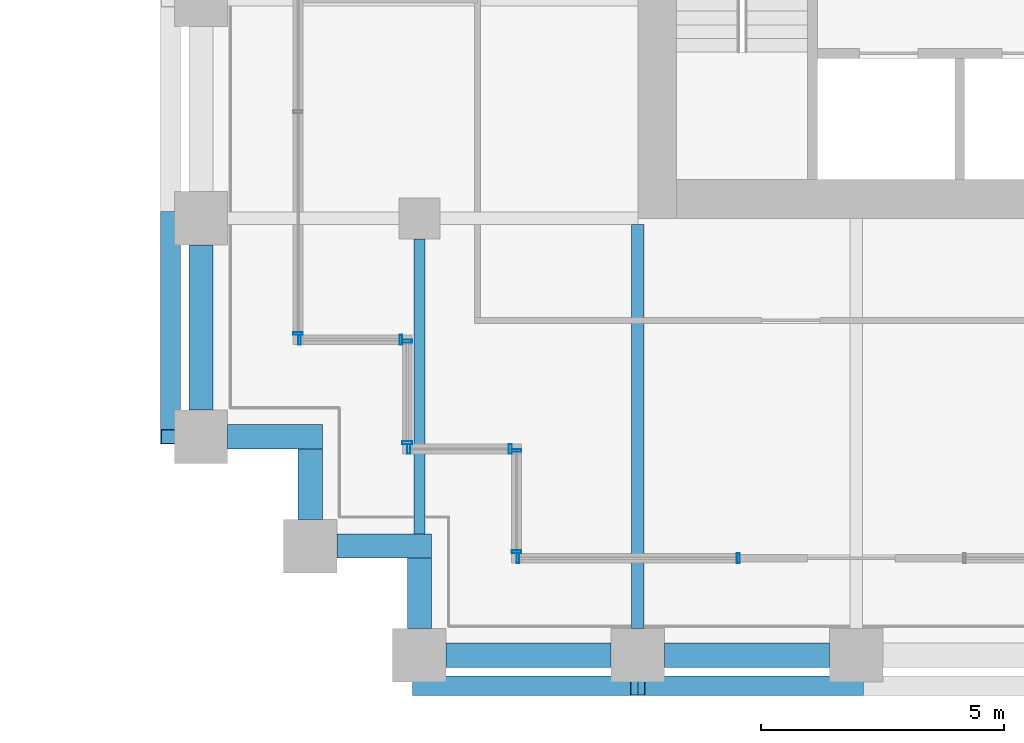
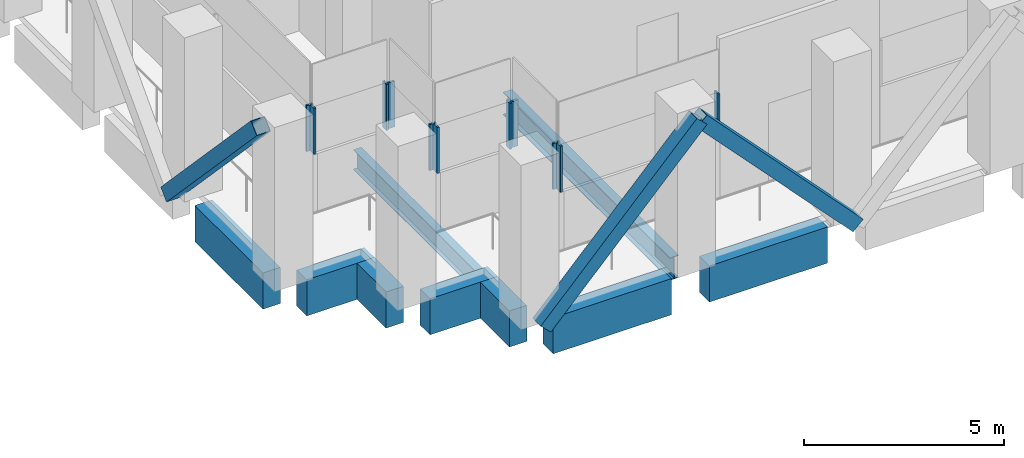
# One storey, part 24 of 44: 14 members, 9 beams, 6 elements without a shape of their own.
"""IFC4 building model written with IfcOpenShell, lengths in metres."""

from ifc_helpers import new_model, si_unit, direction, frame, origin, origin_2d, place, context, subcontext, project, spatial, rectangle, hollow_rectangle, i_section, extrude, material, material_profile, profile_set, type_object, element, aggregate, save


model = new_model("IFC4")

# Units and contexts
model_context = context("Model", 3, precision=1e-05, world=origin(), true_north=direction((0.0, 1.0)))
body_context = subcontext(model_context, "Body", "Model", "MODEL_VIEW")
ifc_project = project(units=[si_unit("LENGTHUNIT", "METRE"), si_unit("AREAUNIT", "SQUARE_METRE"), si_unit("VOLUMEUNIT", "CUBIC_METRE"), si_unit("PLANEANGLEUNIT", "RADIAN"), si_unit("MASSUNIT", "GRAM", prefix="KILO")], contexts=[model_context])

# Site, building, storey
site_placement = place(None, origin())
site = spatial("IfcSite", under=ifc_project, at=site_placement, CompositionType="ELEMENT")
building_placement = place(site_placement, origin())
building = spatial("IfcBuilding", under=site, at=building_placement, Name="Altepetl Exchange Towers", CompositionType="ELEMENT")
storey_placement = place(building_placement, frame((0.0, 0.0, 87.0)))
storey = spatial("IfcBuildingStorey", under=building, at=storey_placement, Name="L21 Refuge", CompositionType="ELEMENT", Elevation=87.0)

# Members
ifc_material_1 = material(Name="Steel S355", Category="steel")
ifc_material_profile_1 = material_profile(ifc_material_1, hollow_rectangle(XDim=0.406005859375, YDim=0.406005859375, WallThickness=0.014892578125, at=origin_2d()), Name="HSS406X406X15.9")
ifc_profile_set_1 = profile_set([ifc_material_profile_1], Name="Steel S355")
member_type_1 = type_object("IfcMemberType", Name="Belt diagonal HSS406X406X15.9", PredefinedType="BRACE", material=ifc_profile_set_1)
for number, where, z_axis, x_axis, name in (
    (1, (99.0, 26.3701171875, 0.0), (0.687744647911, 0.0, 0.725952683906), (0.0, 1.0, 0.0), "brc:B:L21:000"),
    (2, (103.5, 26.3701171875, 4.75), (0.687744647911, 0.0, -0.725952683906), (0.0, 1.0, 0.0), "brc:B:L21:001"),
    (3, (93.8701171875, 36.0, 0.0), (0.0, -0.687744647911, 0.725952683906), (1.0, 0.0, 0.0), "brc:B:L21:016"),
):
    element("IfcMember", number, at=place(storey_placement, frame(where, z_axis=z_axis, x_axis=x_axis)), inside=storey, type_object=member_type_1, Name=name, PredefinedType="BRACE", context=body_context, shape_type="SweptSolid", body=[
        extrude(hollow_rectangle(XDim=0.406005859375, YDim=0.406005859375, WallThickness=0.014892578125, at=origin_2d()), origin(), (0.0, 0.0, 1.0), 6.543212890625),
    ])

# Beams
ifc_material_profile_2 = material_profile(ifc_material_1, i_section(OverallWidth=0.22802734375, OverallDepth=0.60791015625, WebThickness=0.01123046875, FlangeThickness=0.017333984375, at=origin_2d()), Name="W24X76")
ifc_profile_set_2 = profile_set([ifc_material_profile_2], Name="Steel S355")
beam_type_1 = type_object("IfcBeamType", Name="Floor beam W24X76", PredefinedType="BEAM", material=ifc_profile_set_2)
beam_1_placement = place(storey_placement, frame((99.0, 29.5, -0.50390625), z_axis=(0.0, 1.0, 0.0), x_axis=(-1.0, 0.0, 0.0)))
element("IfcBeam", 4, at=beam_1_placement, inside=storey, type_object=beam_type_1, Name="bm:B:L21:008", PredefinedType="BEAM", context=body_context, shape_type="SweptSolid", body=[
    extrude(i_section(OverallWidth=0.22802734375, OverallDepth=0.60791015625, WebThickness=0.01123046875, FlangeThickness=0.017333984375, at=origin_2d()), origin(), (0.0, 0.0, 1.0), 6.074951171875),
])
ifc_material_profile_3 = material_profile(ifc_material_1, i_section(OverallWidth=0.25390625, OverallDepth=0.68798828125, WebThickness=0.01318359375, FlangeThickness=0.02099609375, at=origin_2d()), Name="W27X102")
ifc_profile_set_3 = profile_set([ifc_material_profile_3], Name="Steel S355")
beam_type_2 = type_object("IfcBeamType", Name="Floor beam W27X102", PredefinedType="BEAM", material=ifc_profile_set_3)
beam_2_placement = place(storey_placement, frame((103.5, 27.550048828125, -0.5439453125), z_axis=(0.0, 1.0, 0.0), x_axis=(-1.0, 0.0, 0.0)))
element("IfcBeam", 5, at=beam_2_placement, inside=storey, type_object=beam_type_2, Name="bm:B:L21:009", PredefinedType="BEAM", context=body_context, shape_type="SweptSolid", body=[
    extrude(i_section(OverallWidth=0.25390625, OverallDepth=0.68798828125, WebThickness=0.01318359375, FlangeThickness=0.02099609375, at=origin_2d()), origin(), (0.0, 0.0, 1.0), 8.322021484375),
])

# Curtain wall, member
ifc_material_2 = material(Name="Aluminium 6063-T6 glazing", Category="aluminium")
curtain_wall_type = type_object("IfcCurtainWallType", Name="Refuge slit glazing system", PredefinedType="NOTDEFINED", material=ifc_material_2)
curtain_wall_1_placement = place(storey_placement, origin())
curtain_wall_1 = element("IfcCurtainWall", 6, at=curtain_wall_1_placement, inside=storey, type_object=curtain_wall_type, Name="CW3 run", PredefinedType="NOTDEFINED")
ifc_material_3 = material(Name="Aluminium 6063-T6", Category="aluminium")
ifc_material_profile_4 = material_profile(ifc_material_3, hollow_rectangle(XDim=0.06005859375, YDim=0.199951171875, WallThickness=0.0029296875, at=origin_2d()), Name="Mullion 60x200 aluminium")
ifc_profile_set_4 = profile_set([ifc_material_profile_4], Name="Aluminium 6063-T6")
member_type_2 = type_object("IfcMemberType", Name="Mullion 60x200 aluminium", PredefinedType="MULLION", material=ifc_profile_set_4)
member_1_placement = place(storey_placement, frame((96.5, 33.6298828125, 1.800048828125), z_axis=(0.0, 0.0, 1.0), x_axis=(0.0, -1.0, 0.0)))
member_1 = element("IfcMember", 7, at=member_1_placement, type_object=member_type_2, Name="MU2 mullion", PredefinedType="MULLION", context=body_context, shape_type="SweptSolid", body=[
    extrude(hollow_rectangle(XDim=0.06005859375, YDim=0.199951171875, WallThickness=0.0029296875, at=origin_2d()), origin(), (0.0, 0.0, 1.0), 1.39990234375),
])
aggregate(curtain_wall_1, [member_1])

# Curtain wall, members
curtain_wall_2_placement = place(storey_placement, origin())
curtain_wall_2 = element("IfcCurtainWall", 8, at=curtain_wall_2_placement, inside=storey, type_object=curtain_wall_type, Name="CW3 run", PredefinedType="NOTDEFINED")
member_2_placement = place(storey_placement, frame((96.530029296875, 33.5, 1.800048828125)))
member_2 = element("IfcMember", 9, at=member_2_placement, type_object=member_type_2, Name="MU2 mullion", PredefinedType="MULLION", context=body_context, shape_type="SweptSolid", body=[
    extrude(hollow_rectangle(XDim=0.06005859375, YDim=0.199951171875, WallThickness=0.0029296875, at=origin_2d()), origin(), (0.0, 0.0, 1.0), 1.39990234375),
])
member_3_placement = place(storey_placement, frame((98.6201171875, 33.5, 1.800048828125)))
member_3 = element("IfcMember", 10, at=member_3_placement, type_object=member_type_2, Name="MU2 mullion", PredefinedType="MULLION", context=body_context, shape_type="SweptSolid", body=[
    extrude(hollow_rectangle(XDim=0.06005859375, YDim=0.199951171875, WallThickness=0.0029296875, at=origin_2d()), origin(), (0.0, 0.0, 1.0), 1.39990234375),
])
aggregate(curtain_wall_2, [member_2, member_3])

curtain_wall_3_placement = place(storey_placement, origin())
curtain_wall_3 = element("IfcCurtainWall", 11, at=curtain_wall_3_placement, inside=storey, type_object=curtain_wall_type, Name="CW3 run", PredefinedType="NOTDEFINED")
member_4_placement = place(storey_placement, frame((98.75, 33.469970703125, 1.800048828125), z_axis=(0.0, 0.0, 1.0), x_axis=(0.0, -1.0, 0.0)))
member_4 = element("IfcMember", 12, at=member_4_placement, type_object=member_type_2, Name="MU2 mullion", PredefinedType="MULLION", context=body_context, shape_type="SweptSolid", body=[
    extrude(hollow_rectangle(XDim=0.06005859375, YDim=0.199951171875, WallThickness=0.0029296875, at=origin_2d()), origin(), (0.0, 0.0, 1.0), 1.39990234375),
])
member_5_placement = place(storey_placement, frame((98.75, 31.3798828125, 1.800048828125), z_axis=(0.0, 0.0, 1.0), x_axis=(0.0, -1.0, 0.0)))
member_5 = element("IfcMember", 13, at=member_5_placement, type_object=member_type_2, Name="MU2 mullion", PredefinedType="MULLION", context=body_context, shape_type="SweptSolid", body=[
    extrude(hollow_rectangle(XDim=0.06005859375, YDim=0.199951171875, WallThickness=0.0029296875, at=origin_2d()), origin(), (0.0, 0.0, 1.0), 1.39990234375),
])
aggregate(curtain_wall_3, [member_4, member_5])

curtain_wall_4_placement = place(storey_placement, origin())
curtain_wall_4 = element("IfcCurtainWall", 14, at=curtain_wall_4_placement, inside=storey, type_object=curtain_wall_type, Name="CW3 run", PredefinedType="NOTDEFINED")
member_6_placement = place(storey_placement, frame((98.780029296875, 31.25, 1.800048828125)))
member_6 = element("IfcMember", 15, at=member_6_placement, type_object=member_type_2, Name="MU2 mullion", PredefinedType="MULLION", context=body_context, shape_type="SweptSolid", body=[
    extrude(hollow_rectangle(XDim=0.06005859375, YDim=0.199951171875, WallThickness=0.0029296875, at=origin_2d()), origin(), (0.0, 0.0, 1.0), 1.39990234375),
])
member_7_placement = place(storey_placement, frame((100.8701171875, 31.25, 1.800048828125)))
member_7 = element("IfcMember", 16, at=member_7_placement, type_object=member_type_2, Name="MU2 mullion", PredefinedType="MULLION", context=body_context, shape_type="SweptSolid", body=[
    extrude(hollow_rectangle(XDim=0.06005859375, YDim=0.199951171875, WallThickness=0.0029296875, at=origin_2d()), origin(), (0.0, 0.0, 1.0), 1.39990234375),
])
aggregate(curtain_wall_4, [member_6, member_7])

curtain_wall_5_placement = place(storey_placement, origin())
curtain_wall_5 = element("IfcCurtainWall", 17, at=curtain_wall_5_placement, inside=storey, type_object=curtain_wall_type, Name="CW3 run", PredefinedType="NOTDEFINED")
member_8_placement = place(storey_placement, frame((101.0, 31.219970703125, 1.800048828125), z_axis=(0.0, 0.0, 1.0), x_axis=(0.0, -1.0, 0.0)))
member_8 = element("IfcMember", 18, at=member_8_placement, type_object=member_type_2, Name="MU2 mullion", PredefinedType="MULLION", context=body_context, shape_type="SweptSolid", body=[
    extrude(hollow_rectangle(XDim=0.06005859375, YDim=0.199951171875, WallThickness=0.0029296875, at=origin_2d()), origin(), (0.0, 0.0, 1.0), 1.39990234375),
])
member_9_placement = place(storey_placement, frame((101.0, 29.1298828125, 1.800048828125), z_axis=(0.0, 0.0, 1.0), x_axis=(0.0, -1.0, 0.0)))
member_9 = element("IfcMember", 19, at=member_9_placement, type_object=member_type_2, Name="MU2 mullion", PredefinedType="MULLION", context=body_context, shape_type="SweptSolid", body=[
    extrude(hollow_rectangle(XDim=0.06005859375, YDim=0.199951171875, WallThickness=0.0029296875, at=origin_2d()), origin(), (0.0, 0.0, 1.0), 1.39990234375),
])
aggregate(curtain_wall_5, [member_8, member_9])

curtain_wall_6_placement = place(storey_placement, origin())
curtain_wall_6 = element("IfcCurtainWall", 20, at=curtain_wall_6_placement, inside=storey, type_object=curtain_wall_type, Name="CW3 run", PredefinedType="NOTDEFINED")
member_10_placement = place(storey_placement, frame((101.030029296875, 29.0, 1.800048828125)))
member_10 = element("IfcMember", 21, at=member_10_placement, type_object=member_type_2, Name="MU2 mullion", PredefinedType="MULLION", context=body_context, shape_type="SweptSolid", body=[
    extrude(hollow_rectangle(XDim=0.06005859375, YDim=0.199951171875, WallThickness=0.0029296875, at=origin_2d()), origin(), (0.0, 0.0, 1.0), 1.39990234375),
])
member_11_placement = place(storey_placement, frame((105.570068359375, 29.0, 1.800048828125)))
member_11 = element("IfcMember", 22, at=member_11_placement, type_object=member_type_2, Name="MU2 mullion", PredefinedType="MULLION", context=body_context, shape_type="SweptSolid", body=[
    extrude(hollow_rectangle(XDim=0.06005859375, YDim=0.199951171875, WallThickness=0.0029296875, at=origin_2d()), origin(), (0.0, 0.0, 1.0), 1.39990234375),
])
aggregate(curtain_wall_6, [member_10, member_11])

# Beams
ifc_material_4 = material(Name="Concrete C50/60 precast with tezontle facing", Category="concrete")
ifc_material_profile_5 = material_profile(ifc_material_4, rectangle(XDim=0.5, YDim=1.10009765625, at=origin_2d()), Name="500 x 1100")
ifc_profile_set_5 = profile_set([ifc_material_profile_5], Name="Concrete C50/60 precast with tezontle facing")
beam_type_3 = type_object("IfcBeamType", Name="Spandrel beam 500x1100 tezontle", PredefinedType="SPANDREL", material=ifc_profile_set_5)
for number, where, z_axis, x_axis, name in (
    (23, (99.550048828125, 27.0, -0.75), (1.0, 0.0, 0.0), (0.0, 1.0, 0.0), "sp:B:L21:000"),
    (24, (104.050048828125, 27.0, -0.75), (1.0, 0.0, 0.0), (0.0, 1.0, 0.0), "sp:B:L21:001"),
    (25, (94.5, 35.449951171875, -0.75), (0.0, -1.0, 0.0), (1.0, 0.0, 0.0), "sp:B:L21:031"),
):
    element("IfcBeam", number, at=place(storey_placement, frame(where, z_axis=z_axis, x_axis=x_axis)), inside=storey, type_object=beam_type_3, Name=name, PredefinedType="SPANDREL", context=body_context, shape_type="SweptSolid", body=[
        extrude(rectangle(XDim=0.5, YDim=1.10009765625, at=origin_2d()), origin(), (0.0, 0.0, 1.0), 3.39990234375),
    ])
beam_3_placement = place(storey_placement, frame((95.050048828125, 31.5, -0.75), z_axis=(1.0, 0.0, 0.0), x_axis=(0.0, 1.0, 0.0)))
element("IfcBeam", 26, at=beam_3_placement, inside=storey, type_object=beam_type_3, Name="sp:B:L21:032", PredefinedType="SPANDREL", context=body_context, shape_type="SweptSolid", body=[
    extrude(rectangle(XDim=0.5, YDim=1.10009765625, at=origin_2d()), origin(), (0.0, 0.0, 1.0), 1.949951171875),
])
beam_4_placement = place(storey_placement, frame((96.75, 31.25, -0.75), z_axis=(0.0, -1.0, 0.0), x_axis=(1.0, 0.0, 0.0)))
element("IfcBeam", 27, at=beam_4_placement, inside=storey, type_object=beam_type_3, Name="sp:B:L21:033", PredefinedType="SPANDREL", context=body_context, shape_type="SweptSolid", body=[
    extrude(rectangle(XDim=0.5, YDim=1.10009765625, at=origin_2d()), origin(), (0.0, 0.0, 1.0), 1.449951171875),
])
beam_5_placement = place(storey_placement, frame((97.300048828125, 29.25, -0.75), z_axis=(1.0, 0.0, 0.0), x_axis=(0.0, 1.0, 0.0)))
element("IfcBeam", 28, at=beam_5_placement, inside=storey, type_object=beam_type_3, Name="sp:B:L21:034", PredefinedType="SPANDREL", context=body_context, shape_type="SweptSolid", body=[
    extrude(rectangle(XDim=0.5, YDim=1.10009765625, at=origin_2d()), origin(), (0.0, 0.0, 1.0), 1.949951171875),
])
beam_6_placement = place(storey_placement, frame((99.0, 29.0, -0.75), z_axis=(0.0, -1.0, 0.0), x_axis=(1.0, 0.0, 0.0)))
element("IfcBeam", 29, at=beam_6_placement, inside=storey, type_object=beam_type_3, Name="sp:B:L21:035", PredefinedType="SPANDREL", context=body_context, shape_type="SweptSolid", body=[
    extrude(rectangle(XDim=0.5, YDim=1.10009765625, at=origin_2d()), origin(), (0.0, 0.0, 1.0), 1.449951171875),
])

save(model, "model.ifc")
